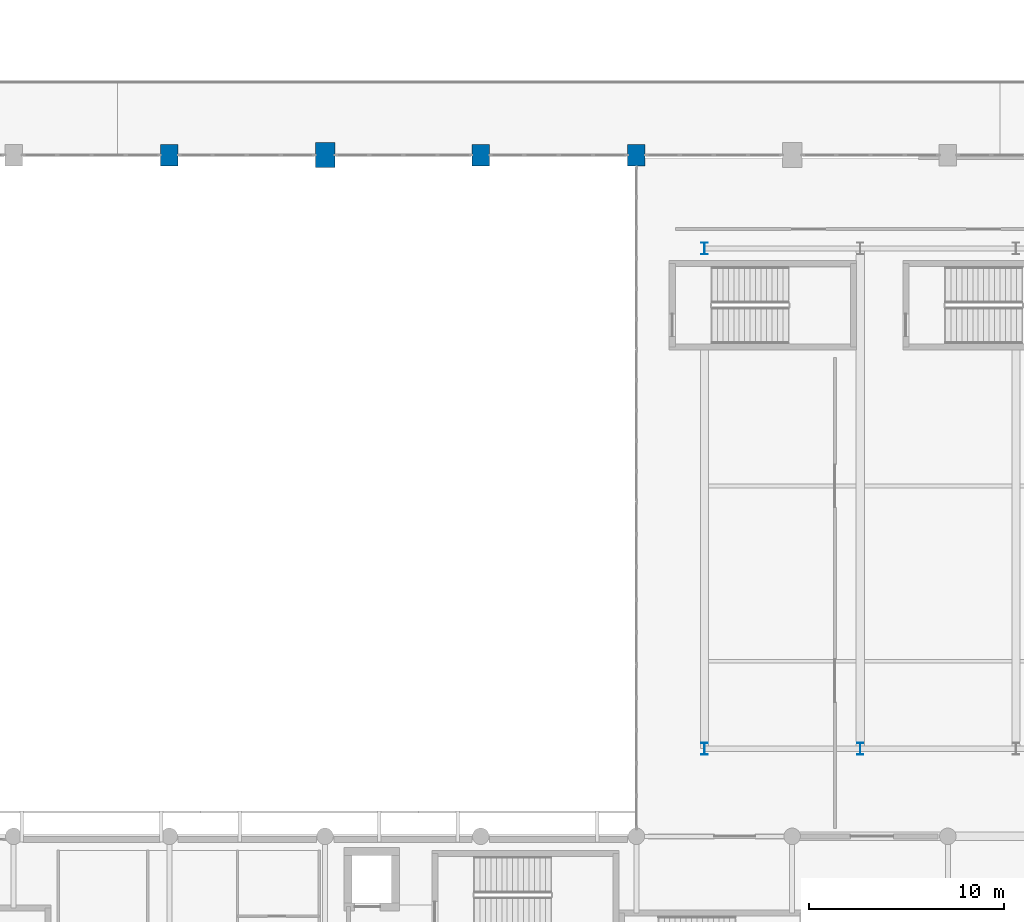
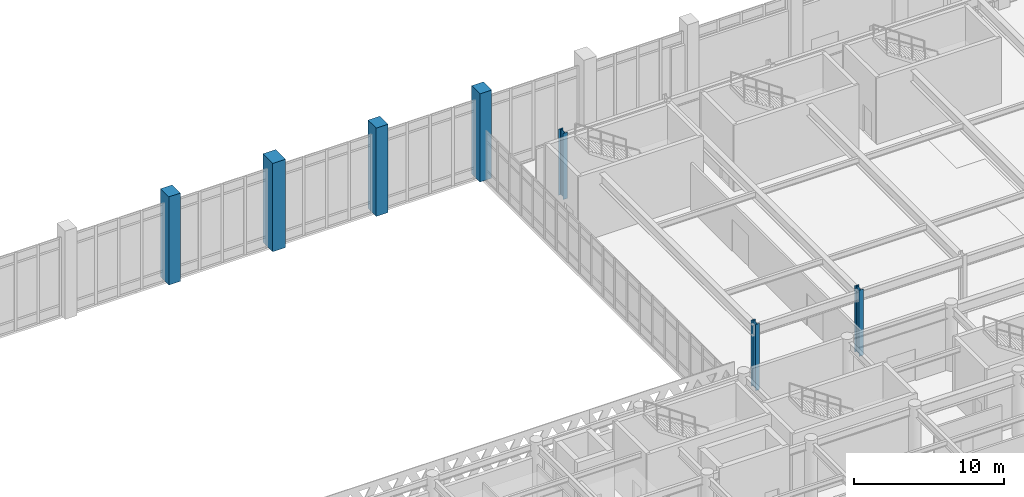
# One storey, part 4 of 84: 7 columns.
"""IFC4 building model written with IfcOpenShell, lengths in metres."""

from ifc_helpers import new_model, si_unit, direction, frame, origin, origin_2d, place, context, subcontext, project, spatial, rectangle, i_section, extrude, material, material_profile, profile_set, type_object, element, save


model = new_model("IFC4")

# Units and contexts
model_context = context("Model", 3, precision=1e-05, world=origin(), true_north=direction((0.0, 1.0)))
body_context = subcontext(model_context, "Body", "Model", "MODEL_VIEW")
ifc_project = project(units=[si_unit("LENGTHUNIT", "METRE"), si_unit("AREAUNIT", "SQUARE_METRE"), si_unit("VOLUMEUNIT", "CUBIC_METRE"), si_unit("PLANEANGLEUNIT", "RADIAN"), si_unit("MASSUNIT", "GRAM", prefix="KILO")], contexts=[model_context])

# Site, building, storey
site_placement = place(None, origin())
site = spatial("IfcSite", under=ifc_project, at=site_placement, CompositionType="ELEMENT")
building_placement = place(site_placement, origin())
building = spatial("IfcBuilding", under=site, at=building_placement, Name="Tlacozan Convention Centre", CompositionType="ELEMENT")
storey_placement = place(building_placement, frame((0.0, 0.0, 6.0)))
storey = spatial("IfcBuildingStorey", under=building, at=storey_placement, Name="L01", CompositionType="ELEMENT", Elevation=6.0)

# Columns
ifc_material_1 = material(Name="Concrete C40/50", Category="concrete")
ifc_material_profile_1 = material_profile(ifc_material_1, rectangle(XDim=0.89990234375, YDim=1.10009765625, at=origin_2d()), Name="RC 900x1100")
ifc_profile_set_1 = profile_set([ifc_material_profile_1], Name="Concrete C40/50")
column_type_1 = type_object("IfcColumnType", Name="Column Buttress RC 900x1100", PredefinedType="COLUMN", material=ifc_profile_set_1)
for number, where, z_axis, x_axis, name in (
    (1, (64.0, 62.0, 0.0), (0.0, 0.0, 1.0), (1.0, 0.0, 0.0), "L01 Column 370"),
    (2, (80.0, 62.0, 0.0), (0.0, 0.0, 1.0), (1.0, 0.0, 0.0), "L01 Column 444"),
    (3, (88.0, 62.0, 0.0), (0.0, 0.0, 1.0), (1.0, 0.0, 0.0), "L01 Column 481"),
):
    element("IfcColumn", number, at=place(storey_placement, frame(where, z_axis=z_axis, x_axis=x_axis)), inside=storey, type_object=column_type_1, Name=name, PredefinedType="COLUMN", context=body_context, shape_type="SweptSolid", body=[
        extrude(rectangle(XDim=0.89990234375, YDim=1.10009765625, at=origin_2d()), origin(), (0.0, 0.0, 1.0), 7.199951171875),
    ])
ifc_material_profile_2 = material_profile(ifc_material_1, rectangle(XDim=1.0, YDim=1.300048828125, at=origin_2d()), Name="RC 1000x1300")
ifc_profile_set_2 = profile_set([ifc_material_profile_2], Name="Concrete C40/50")
column_type_2 = type_object("IfcColumnType", Name="Column Mega Buttress RC 1000x1300", PredefinedType="COLUMN", material=ifc_profile_set_2)
column_placement = place(storey_placement, frame((72.0, 62.0, 0.0), z_axis=(0.0, 0.0, 1.0), x_axis=(1.0, 0.0, 0.0)))
element("IfcColumn", 4, at=column_placement, inside=storey, type_object=column_type_2, Name="L01 Column 407", PredefinedType="COLUMN", context=body_context, shape_type="SweptSolid", body=[
    extrude(rectangle(XDim=1.0, YDim=1.300048828125, at=origin_2d()), origin(), (0.0, 0.0, 1.0), 7.199951171875),
])
ifc_material_2 = material(Name="Steel ASTM A992 Grade 50", Category="steel")
ifc_material_profile_3 = material_profile(ifc_material_2, i_section(OverallWidth=0.323974609375, OverallDepth=0.611083984375, WebThickness=0.0126953125, FlangeThickness=0.01904296875, FilletRadius=0.012939453125, at=origin_2d()), Name="IR 610x155.0")
ifc_profile_set_3 = profile_set([ifc_material_profile_3], Name="Steel ASTM A992 Grade 50")
column_type_3 = type_object("IfcColumnType", Name="Column Steel IR 610x155", PredefinedType="COLUMN", material=ifc_profile_set_3)
for number, where, z_axis, x_axis, name in (
    (5, (91.5, 31.5, 0.0), (0.0, 0.0, 1.0), (1.0, 0.0, 0.0), "L01 Column 494"),
    (6, (91.5, 57.199951171875, 0.0), (0.0, 0.0, 1.0), (1.0, 0.0, 0.0), "L01 Column 502"),
    (7, (99.5, 31.5, 0.0), (0.0, 0.0, 1.0), (1.0, 0.0, 0.0), "L01 Column 543"),
):
    element("IfcColumn", number, at=place(storey_placement, frame(where, z_axis=z_axis, x_axis=x_axis)), inside=storey, type_object=column_type_3, Name=name, PredefinedType="COLUMN", context=body_context, shape_type="SweptSolid", body=[
        extrude(i_section(OverallWidth=0.323974609375, OverallDepth=0.611083984375, WebThickness=0.0126953125, FlangeThickness=0.01904296875, FilletRadius=0.012939453125, at=origin_2d()), origin(), (0.0, 0.0, 1.0), 5.39990234375),
    ])

save(model, "model.ifc")
